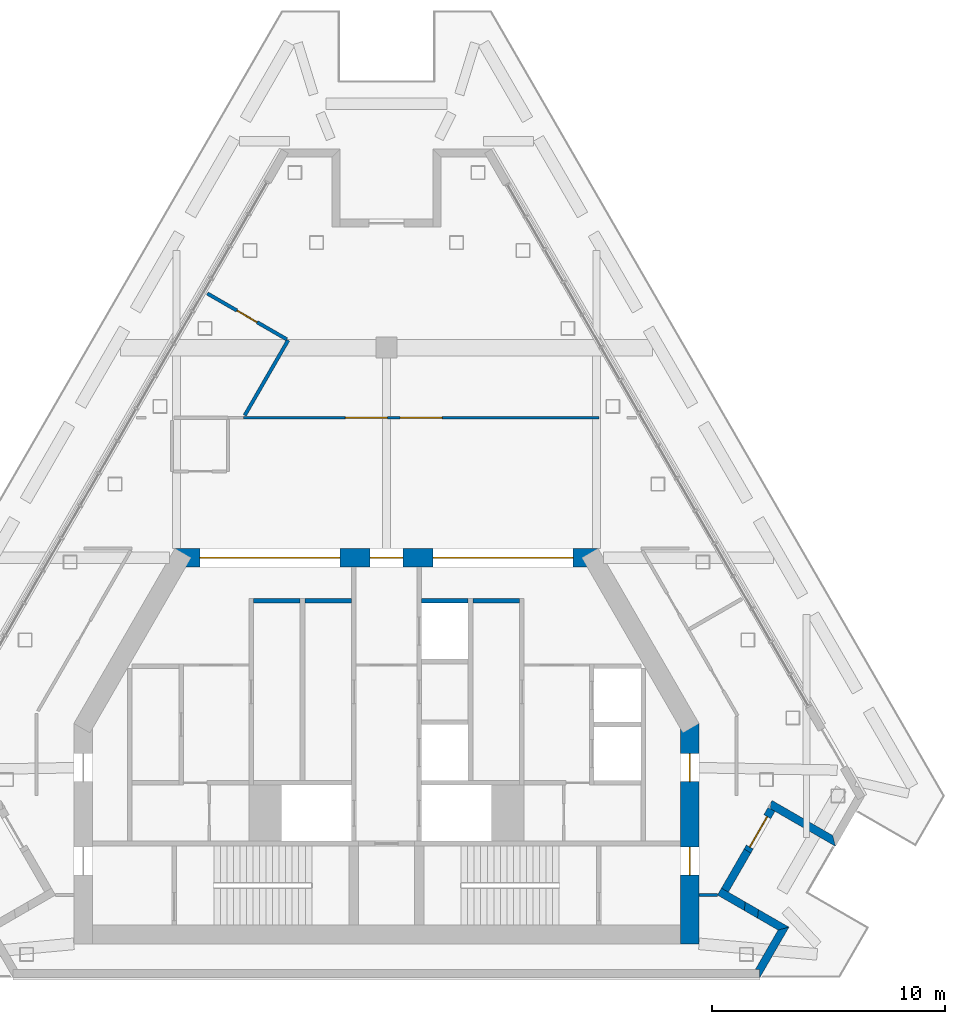
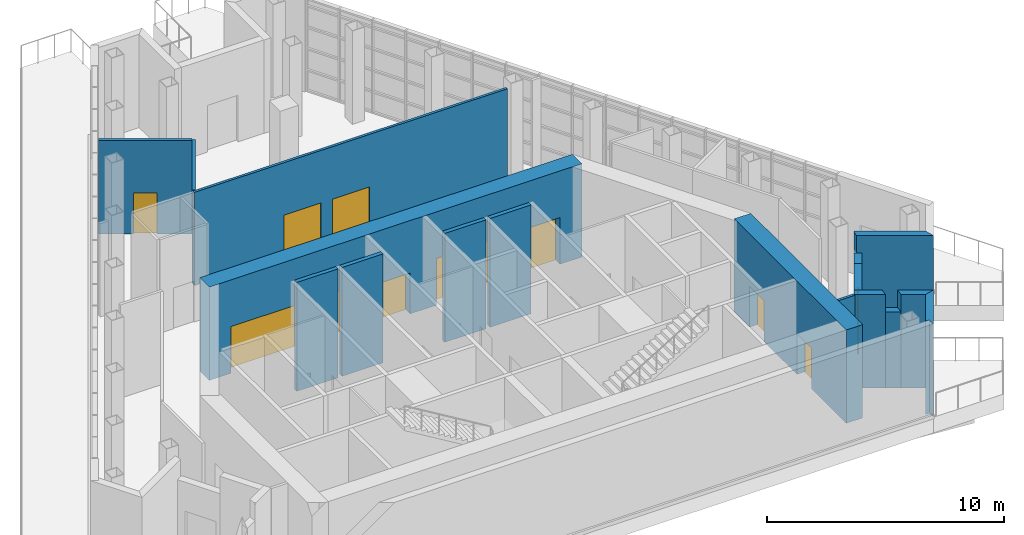
# One storey, part 12 of 15: 17 walls, 9 doors, 9 openings.
"""IFC4 building model written with IfcOpenShell, lengths in metres."""

from ifc_helpers import new_model, si_unit, direction, frame, frame_2d, origin, place, context, subcontext, project, spatial, polyline, rectangle, outline, extrude, material, layer, layer_set, type_object, element, fill, save


model = new_model("IFC4")

# Units and contexts
model_context = context("Model", 3, precision=1e-05, world=origin(), true_north=direction((0.0, 1.0)))
body_context = subcontext(model_context, "Body", "Model", "MODEL_VIEW")
ifc_project = project(units=[si_unit("LENGTHUNIT", "METRE"), si_unit("AREAUNIT", "SQUARE_METRE"), si_unit("VOLUMEUNIT", "CUBIC_METRE"), si_unit("PLANEANGLEUNIT", "RADIAN"), si_unit("MASSUNIT", "GRAM", prefix="KILO")], contexts=[model_context])

# Site, building, storey
site_placement = place(None, origin())
site = spatial("IfcSite", under=ifc_project, at=site_placement, CompositionType="ELEMENT")
building_placement = place(site_placement, origin())
building = spatial("IfcBuilding", under=site, at=building_placement, Name="Fogline Exchange Tower", CompositionType="ELEMENT")
storey_placement = place(building_placement, frame((0.0, 0.0, 344.699951171875)))
storey = spatial("IfcBuildingStorey", under=building, at=storey_placement, Name="L78", CompositionType="ELEMENT", Elevation=344.699951171875)

# Walls
ifc_material_1 = material(Name="Concrete C40", Category="concrete")
ifc_layer_1 = layer(ifc_material_1, 0.199951171875)
ifc_layer_set_1 = layer_set([ifc_layer_1], Name="CW20S")
wall_type_1 = type_object("IfcWallType", Name="CW20S", PredefinedType="SOLIDWALL", material=ifc_layer_set_1)
for number, where, z_axis, x_axis, name in (
    (1, (-5.699951171875, 16.14990234375, -0.800048828125), (0.0, 0.0, 1.0), (1.0, 0.0, 0.0), "Lift shaft wall"),
    (2, (-3.5, 16.14990234375, -0.800048828125), (0.0, 0.0, 1.0), (1.0, 0.0, 0.0), "Lift shaft wall"),
    (3, (3.699951171875, 16.14990234375, -0.800048828125), (0.0, 0.0, 1.0), (1.0, 0.0, 0.0), "Lift shaft wall"),
    (4, (1.5, 16.14990234375, -0.800048828125), (0.0, 0.0, 1.0), (1.0, 0.0, 0.0), "Lift shaft wall"),
):
    element("IfcWall", number, at=place(storey_placement, frame(where, z_axis=z_axis, x_axis=x_axis)), inside=storey, type_object=wall_type_1, Name=name, PredefinedType="SOLIDWALL", context=body_context, shape_type="SweptSolid", body=[
        extrude(rectangle(XDim=2.0, YDim=0.199951171875, at=frame_2d((1.0, 0.0))), origin(), (0.0, 0.0, 1.0), 5.60009765625),
    ])
ifc_material_2 = material(Name="Brick masonry", Category="masonry")
ifc_layer_2 = layer(ifc_material_2, 0.340087890625)
ifc_layer_set_2 = layer_set([ifc_layer_2], Name="FW1")
wall_type_2 = type_object("IfcWallType", Name="FW1", PredefinedType="SOLIDWALL", material=ifc_layer_set_2)
wall_1_placement = place(storey_placement, origin())
element("IfcWall", 5, at=wall_1_placement, inside=storey, type_object=wall_type_2, Name="Brick wall L78 SE-c1", PredefinedType="SOLIDWALL", context=body_context, shape_type="SweptSolid", body=[
    extrude(outline(polyline([(17.2509765625, 2.165771484375), (16.0, -0.001220703125), (15.99951171875, -0.0009765625), (15.99951171875, 0.33935546875), (15.802734375, 0.33935546875), (16.78515625, 2.041015625), (17.2509765625, 2.166015625), (17.2509765625, 2.165771484375)])), origin(), (0.0, 0.0, 1.0), 4.800048828125),
])
wall_2_placement = place(storey_placement, origin())
element("IfcWall", 6, at=wall_2_placement, inside=storey, type_object=wall_type_2, Name="Brick wall L78 SE-s1", PredefinedType="SOLIDWALL", context=body_context, shape_type="SweptSolid", body=[
    extrude(outline(polyline([(15.945556640625, 2.9189453125), (15.903076171875, 2.54931640625), (15.336669921875, 2.87646484375), (15.37939453125, 3.245849609375), (15.945556640625, 2.9189453125)])), origin(), (0.0, 0.0, 1.0), 3.900146484375),
])
wall_3_placement = place(storey_placement, origin())
element("IfcWall", 7, at=wall_3_placement, inside=storey, type_object=wall_type_2, Name="Brick wall L78 SE-s1", PredefinedType="SOLIDWALL", context=body_context, shape_type="SweptSolid", body=[
    extrude(outline(polyline([(14.357177734375, 3.8359375), (14.652099609375, 3.66552734375), (15.37939453125, 3.245849609375), (15.336669921875, 2.87646484375), (14.186767578125, 3.540283203125), (14.357177734375, 3.8359375)])), origin(), (0.0, 0.0, 1.0), 4.800048828125),
])
wall_4_placement = place(storey_placement, origin())
element("IfcWall", 8, at=wall_4_placement, inside=storey, type_object=wall_type_2, Name="Brick wall L78 SE-s1", PredefinedType="SOLIDWALL", context=body_context, shape_type="SweptSolid", body=[
    extrude(outline(polyline([(17.251220703125, 2.1650390625), (17.251220703125, 2.164794921875), (16.785400390625, 2.0400390625), (15.903076171875, 2.54931640625), (15.945556640625, 2.9189453125), (17.251220703125, 2.1650390625)])), origin(), (0.0, 0.0, 1.0), 4.800048828125),
])
wall_5_placement = place(storey_placement, frame((14.504638671875, 3.75, 0.0), z_axis=(0.0, 0.0, 1.0), x_axis=(0.500027802648, 0.866009351323, 0.0)))
element("IfcWall", 9, at=wall_5_placement, inside=storey, type_object=wall_type_2, Name="Brick wall L78 SE-bk", PredefinedType="SOLIDWALL", context=body_context, shape_type="SweptSolid", body=[
    extrude(rectangle(XDim=1.93798828125, YDim=0.340087890625, at=frame_2d((0.968994140625, 0.0))), origin(), (0.0, 0.0, 1.0), 4.800048828125),
])

# Wall, opening, door
wall_6_placement = place(storey_placement, frame((15.4736328125, 5.42822265625, 0.0), z_axis=(0.0, 0.0, 1.0), x_axis=(0.499971832445, 0.866041665719, 0.0)))
wall_6 = element("IfcWall", 10, at=wall_6_placement, inside=storey, type_object=wall_type_2, Name="Brick wall L78 SE-bk", PredefinedType="SOLIDWALL", context=body_context, shape_type="SweptSolid", body=[
    extrude(rectangle(XDim=2.06201171875, YDim=0.340087890625, at=frame_2d((1.031005859375, 0.0))), origin(), (0.0, 0.0, 1.0), 3.900146484375),
])
opening_1_placement = place(wall_6_placement, frame((0.199951171875, 0.0, 0.0)))
opening_1 = element("IfcOpeningElement", 11, at=opening_1_placement, cuts=wall_6, Name="Opening T26-E081", PredefinedType="OPENING", context=body_context, shape_type="SweptSolid", body=[
    extrude(rectangle(XDim=1.5, YDim=2.39990234375, at=frame_2d((0.75, 1.199951171875))), frame((0.0, 0.18017578125, 0.0), z_axis=(0.0, -1.0, 0.0), x_axis=(1.0, 0.0, 0.0)), (0.0, 0.0, 1.0), 0.360107421875),
])
ifc_material_3 = material(Name="Aluminium and glass", Category="aluminium")
door_type_1 = type_object("IfcDoorType", Name="ED4", OperationType="SINGLE_SWING_LEFT", PredefinedType="DOOR", material=ifc_material_3)
door_1_placement = place(opening_1_placement, frame((1.5, 0.0, 0.0), z_axis=(0.0, 0.0, 1.0), x_axis=(-1.0, 0.0, 0.0)))
door_1 = element("IfcDoor", 12, at=door_1_placement, inside=storey, type_object=door_type_1, Name="Balcony door L78 SE", OperationType="DOUBLE_DOOR_SINGLE_SWING", OverallHeight=2.39990234375, OverallWidth=1.5, PredefinedType="DOOR", context=body_context, shape_type="SweptSolid", body=[
    extrude(rectangle(XDim=1.5, YDim=2.39990234375, at=frame_2d((0.75, 1.199951171875))), frame((0.0, 0.02490234375, 0.0), z_axis=(0.0, -1.0, 0.0), x_axis=(1.0, 0.0, 0.0)), (0.0, 0.0, 1.0), 0.050048828125),
])
fill(opening_1, door_1)

# Wall
wall_7_placement = place(storey_placement, origin())
element("IfcWall", 13, at=wall_7_placement, inside=storey, type_object=wall_type_2, Name="Brick wall L78 SE-s2", PredefinedType="SOLIDWALL", context=body_context, shape_type="SweptSolid", body=[
    extrude(outline(polyline([(16.651611328125, 7.128662109375), (16.4443359375, 7.248291015625), (16.473388671875, 7.5009765625), (16.52734375, 7.594482421875), (19.1259765625, 6.093994140625), (19.250732421875, 5.62841796875), (19.25048828125, 5.628173828125), (16.651611328125, 7.128662109375)])), origin(), (0.0, 0.0, 1.0), 4.800048828125),
])

# Wall, openings, doors
ifc_material_4 = material(Name="Plasterboard corridor partition with mineral wool, 2 layers each side")
ifc_layer_3 = layer(ifc_material_4, 0.125)
ifc_layer_set_3 = layer_set([ifc_layer_3], Name="PW2")
wall_type_3 = type_object("IfcWallType", Name="PW2", PredefinedType="PARTITIONING", material=ifc_layer_set_3)
wall_8_placement = place(storey_placement, frame((-6.132080078125, 24.0, 0.0), z_axis=(0.0, 0.0, 1.0), x_axis=(1.0, 0.0, 0.0)))
wall_8 = element("IfcWall", 14, at=wall_8_placement, inside=storey, type_object=wall_type_3, Name="wall-L78-W002", PredefinedType="PARTITIONING", context=body_context, shape_type="SweptSolid", body=[
    extrude(rectangle(XDim=15.23828125, YDim=0.125, at=frame_2d((7.619140625, 0.0))), origin(), (0.0, 0.0, 1.0), 4.800048828125),
])
opening_2_placement = place(wall_8_placement, frame((4.36669921875, 0.0, 0.0)))
opening_2 = element("IfcOpeningElement", 15, at=opening_2_placement, cuts=wall_8, Name="Opening T26-D001", PredefinedType="OPENING", context=body_context, shape_type="SweptSolid", body=[
    extrude(rectangle(XDim=1.800048828125, YDim=2.10009765625, at=frame_2d((0.89990234375, 1.050048828125))), frame((0.0, 0.072509765625, 0.0), z_axis=(0.0, -1.0, 0.0), x_axis=(1.0, 0.0, 0.0)), (0.0, 0.0, 1.0), 0.14501953125),
])
opening_3_placement = place(wall_8_placement, frame((6.71923828125, 0.0, 0.0)))
opening_3 = element("IfcOpeningElement", 16, at=opening_3_placement, cuts=wall_8, Name="Opening T26-D002", PredefinedType="OPENING", context=body_context, shape_type="SweptSolid", body=[
    extrude(rectangle(XDim=1.800048828125, YDim=2.10009765625, at=frame_2d((0.89990234375, 1.050048828125))), frame((0.0, 0.072509765625, 0.0), z_axis=(0.0, -1.0, 0.0), x_axis=(1.0, 0.0, 0.0)), (0.0, 0.0, 1.0), 0.14501953125),
])
ifc_material_5 = material(Name="Fire-rated timber door leaves with steel frame", Category="steel")
door_type_2 = type_object("IfcDoorType", Name="D4", OperationType="DOUBLE_DOOR_SINGLE_SWING", PredefinedType="DOOR", material=ifc_material_5)
door_2_placement = place(opening_2_placement, frame((1.800048828125, 0.0, 0.0), z_axis=(0.0, 0.0, 1.0), x_axis=(-1.0, 0.0, 0.0)))
door_2 = element("IfcDoor", 17, at=door_2_placement, inside=storey, type_object=door_type_2, Name="door-L78-D001", OperationType="DOUBLE_DOOR_SINGLE_SWING", OverallHeight=2.10009765625, OverallWidth=1.800048828125, PredefinedType="DOOR", context=body_context, shape_type="SweptSolid", body=[
    extrude(rectangle(XDim=1.800048828125, YDim=2.10009765625, at=frame_2d((0.89990234375, 1.050048828125))), frame((0.0, 0.02490234375, 0.0), z_axis=(0.0, -1.0, 0.0), x_axis=(1.0, 0.0, 0.0)), (0.0, 0.0, 1.0), 0.050048828125),
])
fill(opening_2, door_2)
door_3_placement = place(opening_3_placement, frame((1.800048828125, 0.0, 0.0), z_axis=(0.0, 0.0, 1.0), x_axis=(-1.0, 0.0, 0.0)))
door_3 = element("IfcDoor", 18, at=door_3_placement, inside=storey, type_object=door_type_2, Name="door-L78-D002", OperationType="DOUBLE_DOOR_SINGLE_SWING", OverallHeight=2.10009765625, OverallWidth=1.800048828125, PredefinedType="DOOR", context=body_context, shape_type="SweptSolid", body=[
    extrude(rectangle(XDim=1.800048828125, YDim=2.10009765625, at=frame_2d((0.89990234375, 1.050048828125))), frame((0.0, 0.02490234375, 0.0), z_axis=(0.0, -1.0, 0.0), x_axis=(1.0, 0.0, 0.0)), (0.0, 0.0, 1.0), 0.050048828125),
])
fill(opening_3, door_3)

# Walls
wall_9_placement = place(storey_placement, frame((14.1875, 3.54052734375, 0.0), z_axis=(0.0, 0.0, 1.0), x_axis=(-1.0, 0.0, 0.0)))
element("IfcWall", 19, at=wall_9_placement, inside=storey, type_object=wall_type_3, Name="wall-L78-W011", PredefinedType="PARTITIONING", context=body_context, shape_type="SweptSolid", body=[
    extrude(rectangle(XDim=0.78759765625, YDim=0.125, at=frame_2d((0.393798828125, 0.0))), origin(), (0.0, 0.0, 1.0), 4.800048828125),
])
ifc_material_6 = material(Name="Plasterboard demising partition with mineral wool and acoustic board")
ifc_layer_4 = layer(ifc_material_6, 0.14990234375)
ifc_layer_set_4 = layer_set([ifc_layer_4], Name="PW3")
wall_type_4 = type_object("IfcWallType", Name="PW3", PredefinedType="PARTITIONING", material=ifc_layer_set_4)
wall_10_placement = place(storey_placement, frame((-6.07421875, 24.100341796875, 0.0), z_axis=(0.0, 0.0, 1.0), x_axis=(0.499996803041, 0.866027249542, 0.0)))
element("IfcWall", 20, at=wall_10_placement, inside=storey, type_object=wall_type_4, Name="wall-L78-W018", PredefinedType="PARTITIONING", context=body_context, shape_type="SweptSolid", body=[
    extrude(rectangle(XDim=3.72314453125, YDim=0.14990234375, at=frame_2d((1.861572265625, 0.0))), origin(), (0.0, 0.0, 1.0), 4.800048828125),
])

# Wall, opening, door
wall_11_placement = place(storey_placement, frame((-4.277587890625, 27.3623046875, 0.0), z_axis=(0.0, 0.0, 1.0), x_axis=(-0.866037464623, 0.499979109433, 0.0)))
wall_11 = element("IfcWall", 21, at=wall_11_placement, inside=storey, type_object=wall_type_4, Name="wall-L78-W019", PredefinedType="PARTITIONING", context=body_context, shape_type="SweptSolid", body=[
    extrude(rectangle(XDim=3.925048828125, YDim=0.14990234375, at=frame_2d((1.96240234375, 0.0))), origin(), (0.0, 0.0, 1.0), 4.800048828125),
])
opening_4_placement = place(wall_11_placement, frame((1.46240234375, 0.0, 0.0)))
opening_4 = element("IfcOpeningElement", 22, at=opening_4_placement, cuts=wall_11, Name="Opening T26-D007", PredefinedType="OPENING", context=body_context, shape_type="SweptSolid", body=[
    extrude(rectangle(XDim=1.0, YDim=2.10009765625, at=frame_2d((0.5, 1.050048828125))), frame((0.0, 0.0849609375, 0.0), z_axis=(0.0, -1.0, 0.0), x_axis=(1.0, 0.0, 0.0)), (0.0, 0.0, 1.0), 0.169921875),
])
ifc_material_7 = material(Name="Fire-rated timber door leaf with steel frame", Category="steel")
door_type_3 = type_object("IfcDoorType", Name="D3", OperationType="SINGLE_SWING_LEFT", PredefinedType="DOOR", material=ifc_material_7)
door_4_placement = place(opening_4_placement, origin())
door_4 = element("IfcDoor", 23, at=door_4_placement, inside=storey, type_object=door_type_3, Name="door-L78-D007", OperationType="SINGLE_SWING_LEFT", OverallHeight=2.10009765625, OverallWidth=1.0, PredefinedType="DOOR", context=body_context, shape_type="SweptSolid", body=[
    extrude(rectangle(XDim=1.0, YDim=2.10009765625, at=frame_2d((0.5, 1.050048828125))), frame((0.0, 0.02490234375, 0.0), z_axis=(0.0, -1.0, 0.0), x_axis=(1.0, 0.0, 0.0)), (0.0, 0.0, 1.0), 0.050048828125),
])
fill(opening_4, door_4)

# Wall, openings, doors
ifc_material_8 = material(Name="Concrete C50", Category="concrete")
ifc_layer_5 = layer(ifc_material_8, 0.800048828125)
ifc_layer_set_5 = layer_set([ifc_layer_5], Name="SW04")
wall_type_5 = type_object("IfcWallType", Name="SW04", PredefinedType="SHEAR", material=ifc_layer_set_5)
wall_12_placement = place(storey_placement, frame((13.0, 1.449951171875, 0.0), z_axis=(0.0, 0.0, 1.0), x_axis=(0.0, 1.0, 0.0)))
wall_12 = element("IfcWall", 24, at=wall_12_placement, inside=storey, type_object=wall_type_5, Name="L78-W902", PredefinedType="SHEAR", context=body_context, shape_type="SweptSolid", body=[
    extrude(rectangle(XDim=9.44189453125, YDim=0.800048828125, at=frame_2d((4.720947265625, 0.0))), origin(), (0.0, 0.0, 1.0), 4.800048828125),
])
opening_5_placement = place(wall_12_placement, frame((2.949951171875, 0.0, 0.0)))
opening_5 = element("IfcOpeningElement", 25, at=opening_5_placement, cuts=wall_12, Name="Opening T26-C016", PredefinedType="OPENING", context=body_context, shape_type="SweptSolid", body=[
    extrude(rectangle(XDim=1.199951171875, YDim=2.10009765625, at=frame_2d((0.60009765625, 1.050048828125))), frame((0.0, 0.41015625, 0.0), z_axis=(0.0, -1.0, 0.0), x_axis=(1.0, 0.0, 0.0)), (0.0, 0.0, 1.0), 0.820068359375),
])
opening_6_placement = place(wall_12_placement, frame((6.949951171875, 0.0, 0.0)))
opening_6 = element("IfcOpeningElement", 26, at=opening_6_placement, cuts=wall_12, Name="Opening T26-C018", PredefinedType="OPENING", context=body_context, shape_type="SweptSolid", body=[
    extrude(rectangle(XDim=1.199951171875, YDim=2.10009765625, at=frame_2d((0.60009765625, 1.050048828125))), frame((0.0, 0.41015625, 0.0), z_axis=(0.0, -1.0, 0.0), x_axis=(1.0, 0.0, 0.0)), (0.0, 0.0, 1.0), 0.820068359375),
])
ifc_material_9 = material(Name="Steel and timber fire door", Category="steel")
door_type_4 = type_object("IfcDoorType", Name="D-FR1", OperationType="SINGLE_SWING_RIGHT", PredefinedType="DOOR", material=ifc_material_9)
door_5_placement = place(opening_5_placement, origin())
door_5 = element("IfcDoor", 27, at=door_5_placement, inside=storey, type_object=door_type_4, Name="Front room door ST2", OperationType="SINGLE_SWING_RIGHT", OverallHeight=2.10009765625, OverallWidth=1.199951171875, PredefinedType="DOOR", context=body_context, shape_type="SweptSolid", body=[
    extrude(rectangle(XDim=1.199951171875, YDim=2.10009765625, at=frame_2d((0.60009765625, 1.050048828125))), frame((0.0, 0.02490234375, 0.0), z_axis=(0.0, -1.0, 0.0), x_axis=(1.0, 0.0, 0.0)), (0.0, 0.0, 1.0), 0.050048828125),
])
fill(opening_5, door_5)
door_type_5 = type_object("IfcDoorType", Name="D-SV1", OperationType="SINGLE_SWING_LEFT", PredefinedType="DOOR", material=ifc_material_9)
door_6_placement = place(opening_6_placement, origin())
door_6 = element("IfcDoor", 28, at=door_6_placement, inside=storey, type_object=door_type_5, Name="Service door E", OperationType="SINGLE_SWING_RIGHT", OverallHeight=2.10009765625, OverallWidth=1.199951171875, PredefinedType="DOOR", context=body_context, shape_type="SweptSolid", body=[
    extrude(rectangle(XDim=1.199951171875, YDim=2.10009765625, at=frame_2d((0.60009765625, 1.050048828125))), frame((0.0, 0.02490234375, 0.0), z_axis=(0.0, -1.0, 0.0), x_axis=(1.0, 0.0, 0.0)), (0.0, 0.0, 1.0), 0.050048828125),
])
fill(opening_6, door_6)

wall_13_placement = place(storey_placement, frame((9.065185546875, 18.0, 0.0), z_axis=(0.0, 0.0, 1.0), x_axis=(-1.0, 0.0, 0.0)))
wall_13 = element("IfcWall", 29, at=wall_13_placement, inside=storey, type_object=wall_type_5, Name="L78-W904", PredefinedType="SHEAR", context=body_context, shape_type="SweptSolid", body=[
    extrude(rectangle(XDim=18.13037109375, YDim=0.800048828125, at=frame_2d((9.065185546875, 0.0))), origin(), (0.0, 0.0, 1.0), 4.800048828125),
])
opening_7_placement = place(wall_13_placement, frame((8.364990234375, 0.0, 0.0)))
opening_7 = element("IfcOpeningElement", 30, at=opening_7_placement, cuts=wall_13, Name="Opening T26-C020", PredefinedType="OPENING", context=body_context, shape_type="SweptSolid", body=[
    extrude(rectangle(XDim=1.39990234375, YDim=2.10009765625, at=frame_2d((0.699951171875, 1.050048828125))), frame((0.0, 0.41015625, 0.0), z_axis=(0.0, -1.0, 0.0), x_axis=(1.0, 0.0, 0.0)), (0.0, 0.0, 1.0), 0.820068359375),
])
opening_8_placement = place(wall_13_placement, frame((11.065185546875, 0.0, 0.0)))
opening_8 = element("IfcOpeningElement", 31, at=opening_8_placement, cuts=wall_13, Name="Opening T26-C021", PredefinedType="OPENING", context=body_context, shape_type="SweptSolid", body=[
    extrude(rectangle(XDim=6.0, YDim=2.39990234375, at=frame_2d((3.0, 1.199951171875))), frame((0.0, 0.41015625, 0.0), z_axis=(0.0, -1.0, 0.0), x_axis=(1.0, 0.0, 0.0)), (0.0, 0.0, 1.0), 0.820068359375),
])
opening_9_placement = place(wall_13_placement, frame((1.065185546875, 0.0, 0.0)))
opening_9 = element("IfcOpeningElement", 32, at=opening_9_placement, cuts=wall_13, Name="Opening T26-C022", PredefinedType="OPENING", context=body_context, shape_type="SweptSolid", body=[
    extrude(rectangle(XDim=6.0, YDim=2.39990234375, at=frame_2d((3.0, 1.199951171875))), frame((0.0, 0.41015625, 0.0), z_axis=(0.0, -1.0, 0.0), x_axis=(1.0, 0.0, 0.0)), (0.0, 0.0, 1.0), 0.820068359375),
])
door_type_6 = type_object("IfcDoorType", Name="D-LB1", OperationType="DOUBLE_DOOR_SINGLE_SWING", PredefinedType="DOOR", material=ifc_material_9)
door_7_placement = place(opening_7_placement, origin())
door_7 = element("IfcDoor", 33, at=door_7_placement, inside=storey, type_object=door_type_6, Name="Protected lobby door", OperationType="DOUBLE_DOOR_SINGLE_SWING", OverallHeight=2.10009765625, OverallWidth=1.39990234375, PredefinedType="DOOR", context=body_context, shape_type="SweptSolid", body=[
    extrude(rectangle(XDim=1.39990234375, YDim=2.10009765625, at=frame_2d((0.699951171875, 1.050048828125))), frame((0.0, 0.02490234375, 0.0), z_axis=(0.0, -1.0, 0.0), x_axis=(1.0, 0.0, 0.0)), (0.0, 0.0, 1.0), 0.050048828125),
])
fill(opening_7, door_7)
door_type_7 = type_object("IfcDoorType", Name="D-LE1", OperationType="DOUBLE_DOOR_SLIDING", PredefinedType="DOOR", material=ifc_material_9)
door_8_placement = place(opening_8_placement, origin())
door_8 = element("IfcDoor", 34, at=door_8_placement, inside=storey, type_object=door_type_7, Name="Lift lobby entrance west", OperationType="DOUBLE_DOOR_SLIDING", OverallHeight=2.39990234375, OverallWidth=6.0, PredefinedType="DOOR", context=body_context, shape_type="SweptSolid", body=[
    extrude(rectangle(XDim=6.0, YDim=2.39990234375, at=frame_2d((3.0, 1.199951171875))), frame((0.0, 0.02490234375, 0.0), z_axis=(0.0, -1.0, 0.0), x_axis=(1.0, 0.0, 0.0)), (0.0, 0.0, 1.0), 0.050048828125),
])
fill(opening_8, door_8)
door_9_placement = place(opening_9_placement, origin())
door_9 = element("IfcDoor", 35, at=door_9_placement, inside=storey, type_object=door_type_7, Name="Lift lobby entrance east", OperationType="DOUBLE_DOOR_SLIDING", OverallHeight=2.39990234375, OverallWidth=6.0, PredefinedType="DOOR", context=body_context, shape_type="SweptSolid", body=[
    extrude(rectangle(XDim=6.0, YDim=2.39990234375, at=frame_2d((3.0, 1.199951171875))), frame((0.0, 0.02490234375, 0.0), z_axis=(0.0, -1.0, 0.0), x_axis=(1.0, 0.0, 0.0)), (0.0, 0.0, 1.0), 0.050048828125),
])
fill(opening_9, door_9)

save(model, "model.ifc")
